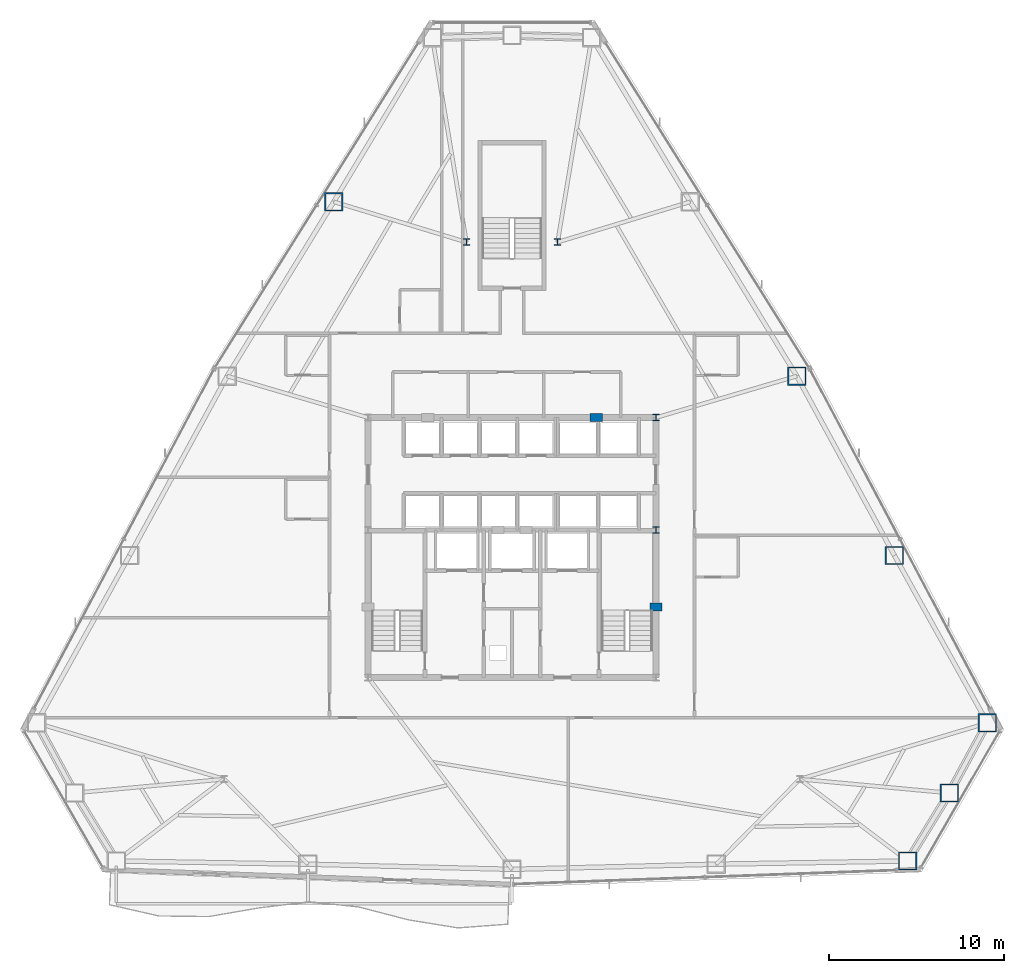
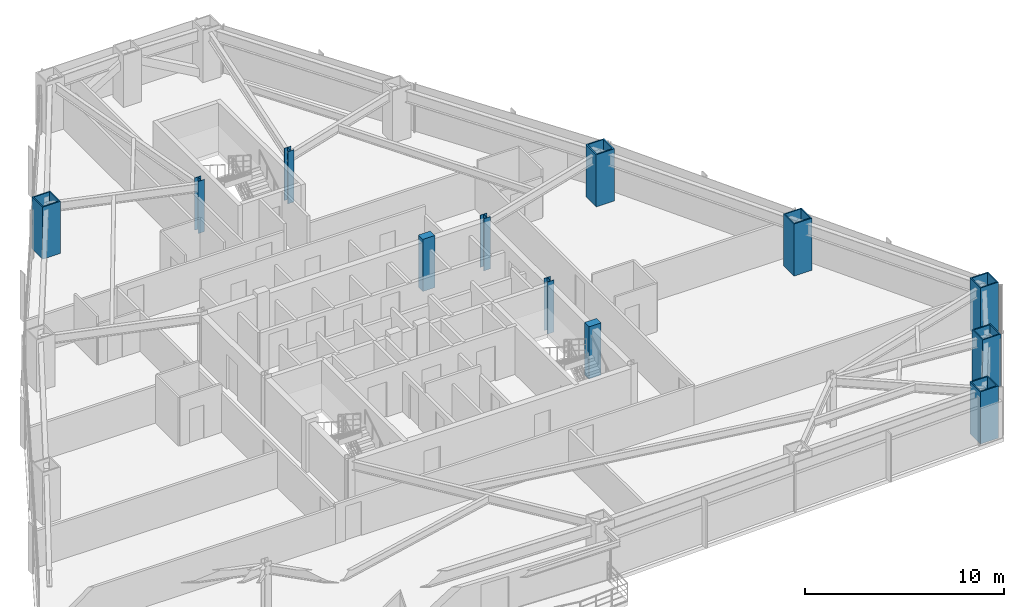
# One storey, part 2 of 13: 12 columns.
"""IFC4 building model written with IfcOpenShell, lengths in metres."""

from ifc_helpers import new_model, si_unit, direction, frame, origin, origin_2d, place, context, subcontext, project, spatial, rectangle, hollow_rectangle, i_section, extrude, material, material_profile, profile_set, type_object, element, save


model = new_model("IFC4")

# Units and contexts
model_context = context("Model", 3, precision=1e-05, world=origin(), true_north=direction((0.0, 1.0)))
body_context = subcontext(model_context, "Body", "Model", "MODEL_VIEW")
ifc_project = project(units=[si_unit("LENGTHUNIT", "METRE"), si_unit("AREAUNIT", "SQUARE_METRE"), si_unit("VOLUMEUNIT", "CUBIC_METRE"), si_unit("PLANEANGLEUNIT", "RADIAN"), si_unit("MASSUNIT", "GRAM", prefix="KILO")], contexts=[model_context])

# Site, building, storey
site_placement = place(None, origin())
site = spatial("IfcSite", under=ifc_project, at=site_placement, CompositionType="ELEMENT")
building_placement = place(site_placement, origin())
building = spatial("IfcBuilding", under=site, at=building_placement, Name="Varakhsha Concourse Tower", CompositionType="ELEMENT")
storey_placement = place(building_placement, frame((0.0, 0.0, 92.60009765625)))
storey = spatial("IfcBuildingStorey", under=building, at=storey_placement, Name="L26", CompositionType="ELEMENT", Elevation=92.60009765625)

# Columns
ifc_material_1 = material(Name="Structural Steel ASTM A992 Grade 50", Category="steel")
ifc_material_profile_1 = material_profile(ifc_material_1, i_section(OverallWidth=0.3740234375, OverallDepth=0.3720703125, WebThickness=0.01611328125, FlangeThickness=0.02587890625, at=origin_2d()), Name="W14X132")
ifc_profile_set_1 = profile_set([ifc_material_profile_1], Name="Structural Steel ASTM A992 Grade 50")
column_type_1 = type_object("IfcColumnType", Name="CL-CORE-W14X132", PredefinedType="COLUMN", material=ifc_profile_set_1)
for number, where, z_axis, x_axis, name in (
    (1, (48.199951171875, 24.800048828125, 0.0), (0.0, 0.0, 1.0), (1.0, 0.0, 0.0), "L26 Core Column CC-ME"),
    (2, (48.199951171875, 31.199951171875, 0.0), (0.0, 0.0, 1.0), (1.0, 0.0, 0.0), "L26 Core Column CC-NE"),
    (3, (37.39990234375, 41.199951171875, 0.0), (0.0, 0.0, 1.0), (1.0, 0.0, 0.0), "L26 Core Column NS-W"),
    (4, (42.60009765625, 41.199951171875, 0.0), (0.0, 0.0, 1.0), (1.0, 0.0, 0.0), "L26 Core Column NS-E"),
):
    element("IfcColumn", number, at=place(storey_placement, frame(where, z_axis=z_axis, x_axis=x_axis)), inside=storey, type_object=column_type_1, Name=name, PredefinedType="COLUMN", context=body_context, shape_type="SweptSolid", body=[
        extrude(i_section(OverallWidth=0.3740234375, OverallDepth=0.3720703125, WebThickness=0.01611328125, FlangeThickness=0.02587890625, at=origin_2d()), origin(), (0.0, 0.0, 1.0), 3.199951171875),
    ])
ifc_material_2 = material(Name="Concrete fc 65 MPa", Category="concrete")
ifc_material_profile_2 = material_profile(ifc_material_2, rectangle(XDim=0.699951171875, YDim=0.449951171875, at=origin_2d()), Name="RC 700x450")
ifc_profile_set_2 = profile_set([ifc_material_profile_2], Name="Concrete fc 65 MPa")
column_type_2 = type_object("IfcColumnType", Name="CL-PIL-700X450", PredefinedType="PILASTER", material=ifc_profile_set_2)
for number, where, z_axis, x_axis, name in (
    (5, (48.199951171875, 20.39990234375, 0.0), (0.0, 0.0, 1.0), (1.0, 0.0, 0.0), "L26 Core Boundary Pilaster PIL-E1"),
    (6, (44.800048828125, 31.199951171875, 0.0), (0.0, 0.0, 1.0), (1.0, 0.0, 0.0), "L26 Core Boundary Pilaster PIL-N2"),
):
    element("IfcColumn", number, at=place(storey_placement, frame(where, z_axis=z_axis, x_axis=x_axis)), inside=storey, type_object=column_type_2, Name=name, PredefinedType="PILASTER", context=body_context, shape_type="SweptSolid", body=[
        extrude(rectangle(XDim=0.699951171875, YDim=0.449951171875, at=origin_2d()), origin(), (0.0, 0.0, 1.0), 3.199951171875),
    ])
ifc_material_3 = material(Name="Structural Steel ASTM A572 Grade 50", Category="steel")
ifc_material_profile_3 = material_profile(ifc_material_3, hollow_rectangle(XDim=1.050048828125, YDim=1.050048828125, WallThickness=0.070068359375, at=origin_2d()), Name="BOX 1050x1050x70")
ifc_profile_set_3 = profile_set([ifc_material_profile_3], Name="Structural Steel ASTM A572 Grade 50")
column_type_3 = type_object("IfcColumnType", Name="CL-TUBE-1050", PredefinedType="COLUMN", material=ifc_profile_set_3)
for number, where, z_axis, x_axis, name in (
    (7, (29.843505859375, 43.499755859375, 0.0), (0.0, 0.0, 1.0), (1.0, 0.0, 0.0), "L26 Framed-Tube Column TC04"),
    (8, (62.54931640625, 5.93701171875, 0.0), (0.0, 0.0, 1.0), (1.0, 0.0, 0.0), "L26 Framed-Tube Column TC13"),
    (9, (64.923583984375, 9.810302734375, 0.0), (0.0, 0.0, 1.0), (1.0, 0.0, 0.0), "L26 Framed-Tube Column TC14"),
    (10, (67.091064453125, 13.80322265625, 0.0), (0.0, 0.0, 1.0), (1.0, 0.0, 0.0), "L26 Framed-Tube Column TC15"),
    (11, (61.79248046875, 23.345947265625, 0.0), (0.0, 0.0, 1.0), (1.0, 0.0, 0.0), "L26 Framed-Tube Column TC16"),
    (12, (56.22802734375, 33.569091796875, 0.0), (0.0, 0.0, 1.0), (1.0, 0.0, 0.0), "L26 Framed-Tube Column TC17"),
):
    element("IfcColumn", number, at=place(storey_placement, frame(where, z_axis=z_axis, x_axis=x_axis)), inside=storey, type_object=column_type_3, Name=name, PredefinedType="COLUMN", context=body_context, shape_type="SweptSolid", body=[
        extrude(hollow_rectangle(XDim=1.050048828125, YDim=1.050048828125, WallThickness=0.070068359375, at=origin_2d()), origin(), (0.0, 0.0, 1.0), 3.199951171875),
    ])

save(model, "model.ifc")
